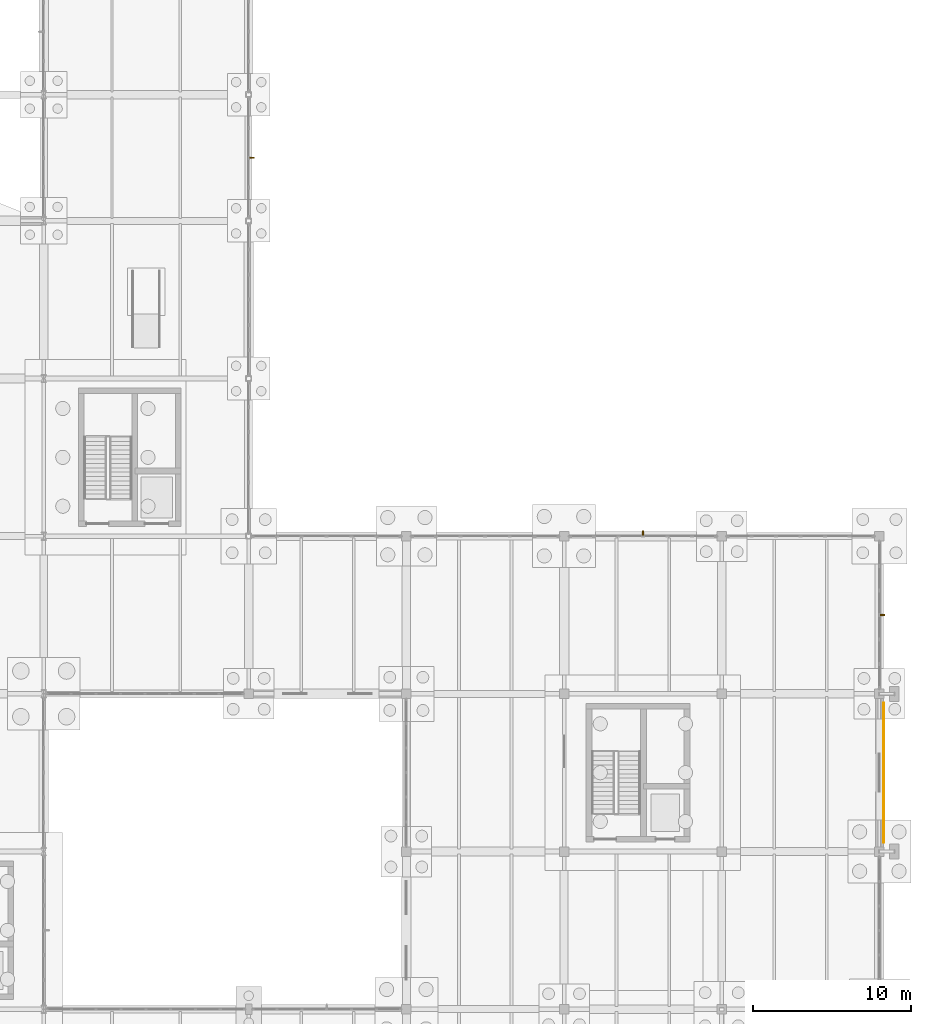
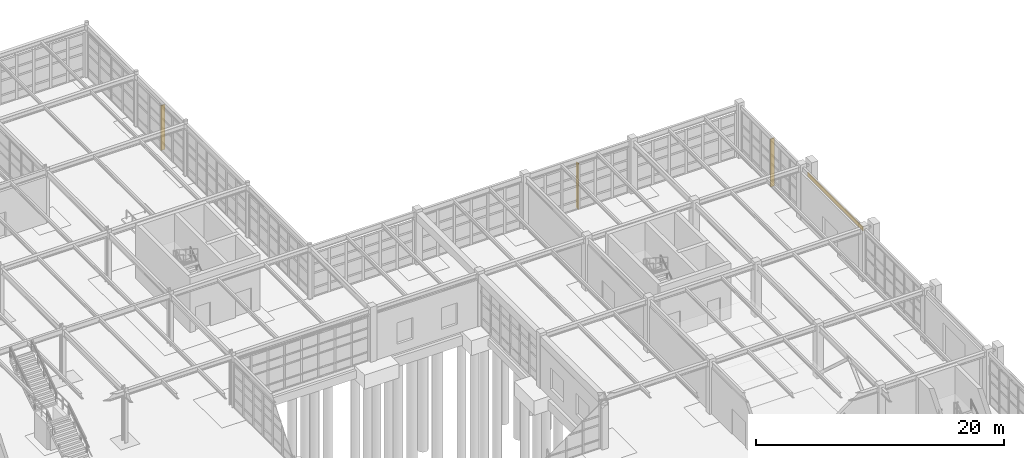
# One storey, part 143 of 145: 3 shading devices, 1 covering.
"""IFC4 building model written with IfcOpenShell, lengths in metres."""

from ifc_helpers import new_model, si_unit, direction, frame, origin, origin_2d, place, context, subcontext, project, spatial, polyline, rectangle, outline, extrude, material, layer, layer_set, type_object, element, save


model = new_model("IFC4")

# Units and contexts
model_context = context("Model", 3, precision=1e-05, world=origin(), true_north=direction((0.0, 1.0)))
body_context = subcontext(model_context, "Body", "Model", "MODEL_VIEW")
ifc_project = project(units=[si_unit("LENGTHUNIT", "METRE"), si_unit("AREAUNIT", "SQUARE_METRE"), si_unit("VOLUMEUNIT", "CUBIC_METRE"), si_unit("PLANEANGLEUNIT", "RADIAN"), si_unit("MASSUNIT", "GRAM", prefix="KILO"), si_unit("THERMODYNAMICTEMPERATUREUNIT", "KELVIN"), si_unit("POWERUNIT", "WATT")], contexts=[model_context])

# Site, building, storey
site_placement = place(None, origin())
site = spatial("IfcSite", under=ifc_project, at=site_placement, CompositionType="ELEMENT")
building_placement = place(site_placement, origin())
building = spatial("IfcBuilding", under=site, at=building_placement, Name="Korenveer Ferry Terminal", CompositionType="ELEMENT")
storey_placement = place(building_placement, origin())
storey = spatial("IfcBuildingStorey", under=building, at=storey_placement, Name="L00", CompositionType="ELEMENT", Elevation=0.0)

# Covering
ifc_material_1 = material(Name="Carved Belgian bluestone spandrel cladding", Category="masonry")
ifc_layer = layer(ifc_material_1, 0.050048828125)
ifc_layer_set = layer_set([ifc_layer], Name="Carved Belgian bluestone spandrel cladding")
covering_type = type_object("IfcCoveringType", Name="ENV-COV-STONE", PredefinedType="CLADDING", material=ifc_layer_set)
covering_placement = place(storey_placement, frame((0.0, 0.0, 4.27001953125)))
element("IfcCovering", 1, at=covering_placement, inside=storey, type_object=covering_type, Name="Belgian bluestone spandrel band 12", PredefinedType="CLADDING", context=body_context, shape_type="SweptSolid", body=[
    extrude(outline(polyline([(176.2451171875, 60.550048828125), (176.294921875, 60.550048828125), (176.294921875, 69.449951171875), (176.2451171875, 69.449951171875), (176.2451171875, 60.550048828125)])), origin(), (0.0, 0.0, 1.0), 0.419921875),
])

# Shading devices
ifc_material_2 = material(Name="Anodised bronze aluminium solar fin", Category="aluminium")
shading_device_type = type_object("IfcShadingDeviceType", Name="ENV-SHD-FIN", PredefinedType="JALOUSIE", material=ifc_material_2)
shading_device_1_placement = place(storey_placement, frame((161.0, 80.159912109375, -0.02001953125), z_axis=(0.0, 0.0, 1.0), x_axis=(0.0, 1.0, 0.0)))
element("IfcShadingDevice", 2, at=shading_device_1_placement, inside=storey, type_object=shading_device_type, Name="Gothic solar fin 5", PredefinedType="JALOUSIE", context=body_context, shape_type="SweptSolid", body=[
    extrude(rectangle(XDim=0.360107421875, YDim=0.080078125, at=origin_2d()), origin(), (0.0, 0.0, 1.0), 4.4599609375),
])
shading_device_2_placement = place(storey_placement, frame((136.159912109375, 104.0, -0.02001953125), z_axis=(0.0, 0.0, 1.0), x_axis=(1.0, 0.0, 0.0)))
element("IfcShadingDevice", 3, at=shading_device_2_placement, inside=storey, type_object=shading_device_type, Name="Gothic solar fin 14", PredefinedType="JALOUSIE", context=body_context, shape_type="SweptSolid", body=[
    extrude(rectangle(XDim=0.360107421875, YDim=0.080078125, at=origin_2d()), origin(), (0.0, 0.0, 1.0), 4.409912109375),
])
shading_device_3_placement = place(storey_placement, frame((176.159912109375, 75.0, -0.02001953125), z_axis=(0.0, 0.0, 1.0), x_axis=(1.0, 0.0, 0.0)))
element("IfcShadingDevice", 4, at=shading_device_3_placement, inside=storey, type_object=shading_device_type, Name="Gothic solar fin 16", PredefinedType="JALOUSIE", context=body_context, shape_type="SweptSolid", body=[
    extrude(rectangle(XDim=0.360107421875, YDim=0.080078125, at=origin_2d()), origin(), (0.0, 0.0, 1.0), 4.7099609375),
])

save(model, "model.ifc")
